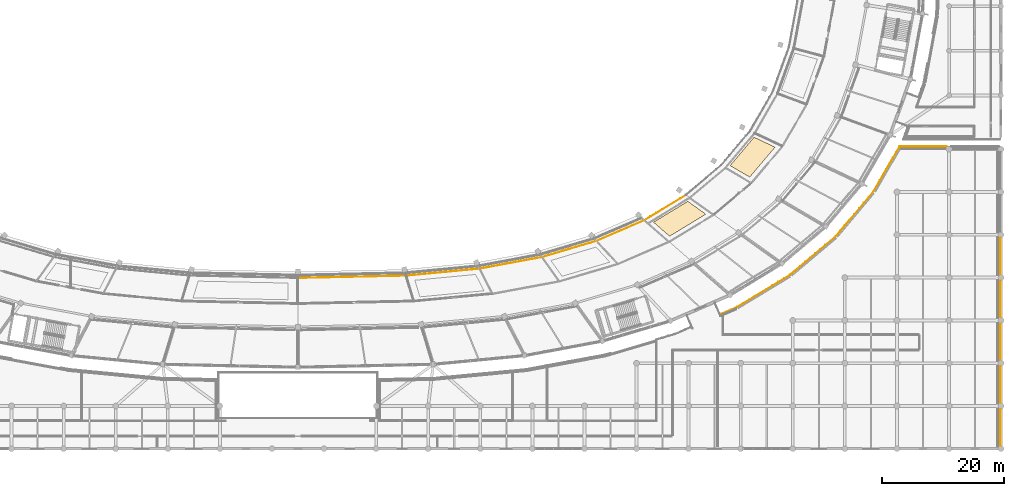
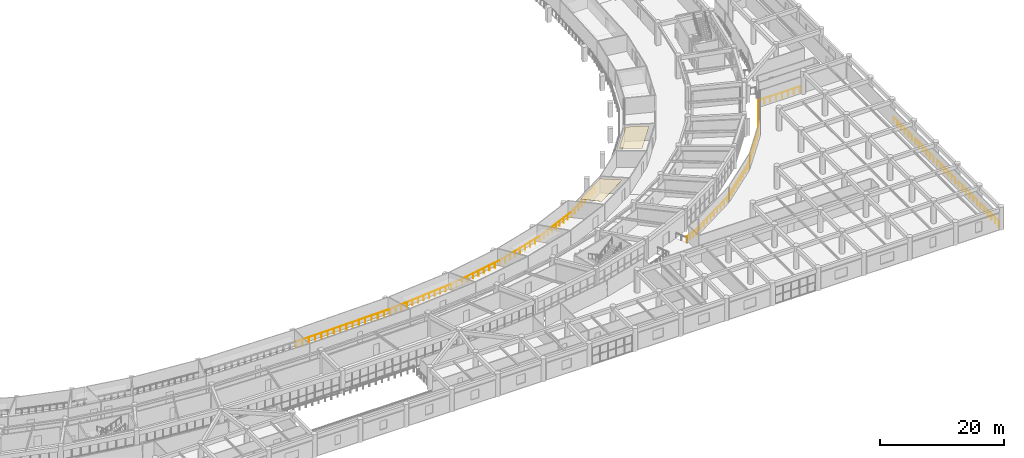
# One storey, part 126 of 141: 7 railings, 2 coverings.
"""IFC4 building model written with IfcOpenShell, lengths in metres."""

import ifcopenshell
import ifcopenshell.guid

model = None  # the IFC model being written
_history = None  # IfcOwnerHistory: only IFC2X3 demands one
_inside = {}  # id of a spatial element -> (the spatial element, [elements in it])
_under = {}  # id of a project, library or spatial element -> (it, [spatial elements below it])
_declared = {}  # id of a project -> (the project, [libraries it declares])
_typed = {}  # id of a type object -> (the type object, [elements of that type])
_made_of = {}  # id of a material, layer set ... -> (it, [elements and type objects made of it])


def new_model(schema):
    """Start an empty IFC model of exactly this schema.

    Asked for "IFC4X3", IfcOpenShell would pick the latest addendum, in which some entities
    have other attributes; the version numbers below select the first issue.
    IFC2X3 requires an IfcOwnerHistory on every rooted entity: one is made here for all.
    """
    global model, _history
    if schema == "IFC4X3":
        model = ifcopenshell.file(schema_version=(4, 3, 0, 0))
    else:
        model = ifcopenshell.file(schema=schema)
    _inside.clear()
    _under.clear()
    _declared.clear()
    _typed.clear()
    _made_of.clear()
    _history = None
    if model.schema == "IFC2X3":
        org = make("IfcOrganization", Name="unknown")
        user = make(
            "IfcPersonAndOrganization",
            ThePerson=make("IfcPerson", FamilyName="unknown"),
            TheOrganization=org,
        )
        app = make(
            "IfcApplication",
            ApplicationDeveloper=org,
            Version="unknown",
            ApplicationFullName="unknown",
            ApplicationIdentifier="unknown",
        )
        _history = make(
            "IfcOwnerHistory",
            OwningUser=user,
            OwningApplication=app,
            ChangeAction="ADDED",
            CreationDate=0,
        )
    return model


def make(cls, **values):
    """One entity of the class cls with the attributes given. An attribute that is None is left unset."""
    return model.create_entity(
        cls, **{name: value for name, value in values.items() if value is not None}
    )


def rooted(cls, **values):
    """An entity with a GlobalId (a new one), such as an element, a storey or a relation."""
    return make(cls, GlobalId=ifcopenshell.guid.new(), OwnerHistory=_history, **values)


def si_unit(unit_type, name, prefix=None):
    """IfcSIUnit, for example si_unit("LENGTHUNIT", "METRE", prefix="MILLI")."""
    return make("IfcSIUnit", UnitType=unit_type, Prefix=prefix, Name=name)


def assignment(units):
    """IfcUnitAssignment: the units of a project."""
    return None if units is None else make("IfcUnitAssignment", Units=units)


def point(xyz):
    """IfcCartesianPoint."""
    return None if xyz is None else make("IfcCartesianPoint", Coordinates=xyz)


def direction(xyz):
    """IfcDirection."""
    return None if xyz is None else make("IfcDirection", DirectionRatios=xyz)


def frame(location, z_axis=None, x_axis=None):
    """IfcAxis2Placement3D, a coordinate frame: its origin and axes. An axis left out is left unset."""
    return make(
        "IfcAxis2Placement3D",
        Location=point(location),
        Axis=direction(z_axis),
        RefDirection=direction(x_axis),
    )


def frame_2d(location, x_axis=None):
    """IfcAxis2Placement2D, a coordinate frame in the plane: its origin and x axis."""
    return make(
        "IfcAxis2Placement2D", Location=point(location), RefDirection=direction(x_axis)
    )


def origin():
    """The frame at (0, 0, 0) with its axes left unset."""
    return frame((0.0, 0.0, 0.0))


def origin_2d():
    """The frame at (0, 0) in the plane with its x axis left unset."""
    return frame_2d((0.0, 0.0))


def place(relative_to, where):
    """IfcLocalPlacement: puts the frame where relative to a parent placement (None: the world)."""
    return make(
        "IfcLocalPlacement", PlacementRelTo=relative_to, RelativePlacement=where
    )


def context(
    kind, dimensions, precision=None, world=None, true_north=None, identifier=None
):
    """IfcGeometricRepresentationContext, for example the 3D "Model" context."""
    return make(
        "IfcGeometricRepresentationContext",
        ContextIdentifier=identifier,
        ContextType=kind,
        CoordinateSpaceDimension=dimensions,
        Precision=precision,
        WorldCoordinateSystem=world,
        TrueNorth=true_north,
    )


def subcontext(parent, identifier, kind, view, scale=None):
    """IfcGeometricRepresentationSubContext, for example "Body" below "Model"."""
    return make(
        "IfcGeometricRepresentationSubContext",
        ContextIdentifier=identifier,
        ContextType=kind,
        ParentContext=parent,
        TargetScale=scale,
        TargetView=view,
    )


def project(units=None, contexts=None):
    """IfcProject with its units and contexts."""
    return rooted(
        "IfcProject",
        Name="project",
        RepresentationContexts=contexts,
        UnitsInContext=assignment(units),
    )


def spatial(cls, under=None, at=None, **own):
    """A site, building, storey or space (cls), placed at a placement, below another one or the project."""
    s = rooted(cls, ObjectPlacement=at, **own)
    if under is not None:
        _under.setdefault(under.id(), (under, []))[1].append(s)
    return s


def polyline(points):
    """IfcPolyline through the points."""
    return make("IfcPolyline", Points=[point(p) for p in points])


def profile(cls, at=None, kind="AREA", **sizes):
    """A parametric profile (cls). Its sizes go by their IFC names, for example OverallWidth=200.0."""
    return make(cls, ProfileType=kind, Position=at, **sizes)


def circle(**sizes):
    """IfcCircleProfileDef."""
    return profile("IfcCircleProfileDef", **sizes)


def outline(outer, holes=None, kind="AREA"):
    """IfcArbitraryClosedProfileDef: a profile drawn as a closed curve; with holes, ...WithVoids."""
    if holes is None:
        return make("IfcArbitraryClosedProfileDef", ProfileType=kind, OuterCurve=outer)
    return make(
        "IfcArbitraryProfileDefWithVoids",
        ProfileType=kind,
        OuterCurve=outer,
        InnerCurves=holes,
    )


def extrude(swept, where, along, depth):
    """IfcExtrudedAreaSolid: the profile swept, set in the frame where, extruded along a direction by depth."""
    return make(
        "IfcExtrudedAreaSolid",
        SweptArea=swept,
        Position=where,
        ExtrudedDirection=direction(along),
        Depth=depth,
    )


def shape(context_of_items, identifier, shape_type, items):
    """IfcShapeRepresentation: the items that make up one representation, for example the "Body"."""
    return make(
        "IfcShapeRepresentation",
        ContextOfItems=context_of_items,
        RepresentationIdentifier=identifier,
        RepresentationType=shape_type,
        Items=items,
    )


def material(Name=None, Category=None):
    """IfcMaterial."""
    return make("IfcMaterial", Name=Name, Category=Category)


def layer(
    of_material, thickness, ventilated=None, Name=None, Category=None, Priority=None
):
    """IfcMaterialLayer: one layer of a wall or slab, of a material (None: an air gap)."""
    return make(
        "IfcMaterialLayer",
        Material=of_material,
        LayerThickness=thickness,
        IsVentilated=ventilated,
        Name=Name,
        Category=Category,
        Priority=Priority,
    )


def layer_set(layers, Name=None):
    """IfcMaterialLayerSet."""
    return make("IfcMaterialLayerSet", MaterialLayers=layers, LayerSetName=Name)


def made_of(thing, what):
    """Note that an element or type object is made of a material, layer set ...; save() writes the relation."""
    if what is not None:
        _made_of.setdefault(what.id(), (what, []))[1].append(thing)
    return thing


def type_object(cls, material=None, **own):
    """A type object (cls), such as IfcWallType, which elements share."""
    return made_of(rooted(cls, **own), material)


def element(
    cls,
    number,
    at=None,
    inside=None,
    cuts=None,
    type_object=None,
    material=None,
    context=None,
    identifier="Body",
    shape_type=None,
    held_by="IfcProductDefinitionShape",
    body=None,
    shapes=None,
    **own,
):
    """One element of the class cls, such as IfcWall. Its Tag is "e" and its number.

    at: its placement. inside: the storey or other place that contains it. cuts: it is an
    opening in that element (IfcRelVoidsElement). A single representation is given by context,
    identifier, shape_type and body (its items); several are given by shapes. held_by: the class
    of the entity that holds the representations. save() writes the other relations.
    """
    e = rooted(cls, Tag="e%d" % number, ObjectPlacement=at, **own)
    if body is not None:
        shapes = [shape(context, identifier, shape_type, body)]
    if shapes is not None:
        e.Representation = make(held_by, Representations=shapes)
    if inside is not None:
        _inside.setdefault(inside.id(), (inside, []))[1].append(e)
    if cuts is not None:
        rooted(
            "IfcRelVoidsElement", RelatingBuildingElement=cuts, RelatedOpeningElement=e
        )
    if type_object is not None:
        _typed.setdefault(type_object.id(), (type_object, []))[1].append(e)
    return made_of(e, material)


def aggregate(whole, parts):
    """IfcRelAggregates: a whole, such as a stair, and the parts it consists of."""
    return rooted("IfcRelAggregates", RelatingObject=whole, RelatedObjects=parts)


def save(model, path):
    """Write the relations noted so far, then the file.

    IfcRelAggregates (storeys below a building ...), IfcRelContainedInSpatialStructure (elements
    in a storey), IfcRelDefinesByType, IfcRelAssociatesMaterial and IfcRelDeclares: one each for
    every whole, place, type object, material and project.
    """
    for whole, parts in _under.values():
        aggregate(whole, parts)
    for where, things in _inside.values():
        rooted(
            "IfcRelContainedInSpatialStructure",
            RelatedElements=things,
            RelatingStructure=where,
        )
    for kind, things in _typed.values():
        rooted("IfcRelDefinesByType", RelatedObjects=things, RelatingType=kind)
    for what, things in _made_of.values():
        rooted("IfcRelAssociatesMaterial", RelatedObjects=things, RelatingMaterial=what)
    for by, libraries in _declared.values():
        rooted("IfcRelDeclares", RelatingContext=by, RelatedDefinitions=libraries)
    model.write(path)


model = new_model("IFC4")

# Units and contexts
model_context = context("Model", 3, precision=1e-05, world=origin(), true_north=direction((0.0, 1.0)))
body_context = subcontext(model_context, "Body", "Model", "MODEL_VIEW")
ifc_project = project(units=[si_unit("LENGTHUNIT", "METRE"), si_unit("AREAUNIT", "SQUARE_METRE"), si_unit("VOLUMEUNIT", "CUBIC_METRE"), si_unit("PLANEANGLEUNIT", "RADIAN"), si_unit("MASSUNIT", "GRAM", prefix="KILO")], contexts=[model_context])

# Site, building, storey
site_placement = place(None, origin())
site = spatial("IfcSite", under=ifc_project, at=site_placement, CompositionType="ELEMENT")
building_placement = place(site_placement, origin())
building = spatial("IfcBuilding", under=site, at=building_placement, Name="Mphavela Belvedere Stadium", CompositionType="ELEMENT")
storey_placement = place(building_placement, frame((0.0, 0.0, 14.699951171875)))
storey = spatial("IfcBuildingStorey", under=building, at=storey_placement, Name="L03", CompositionType="ELEMENT", Elevation=14.699951171875)

# Coverings
ifc_material_1 = material(Name="Perforated acoustic mineral ceiling tile")
ifc_layer = layer(ifc_material_1, 0.0400390625)
ifc_layer_set = layer_set([ifc_layer], Name="Perforated acoustic mineral ceiling tile")
covering_type = type_object("IfcCoveringType", Name="COV-CEILING-ACOUSTIC", PredefinedType="CEILING", material=ifc_layer_set)
covering_1_placement = place(storey_placement, frame((0.0, 0.0, 3.199951171875)))
element("IfcCovering", 1, at=covering_1_placement, inside=storey, type_object=covering_type, Name="Concourse acoustic ceiling L03-42", PredefinedType="CEILING", context=body_context, shape_type="SweptSolid", body=[
    extrude(outline(polyline([(173.1455078125, 37.06103515625), (178.76025390625, 40.476806640625), (181.699462890625, 38.370849609375), (175.770751953125, 34.763916015625), (173.1455078125, 37.06103515625)])), origin(), (0.0, 0.0, 1.0), 0.0400390625),
])
covering_2_placement = place(storey_placement, frame((0.0, 0.0, 3.199951171875)))
element("IfcCovering", 2, at=covering_2_placement, inside=storey, type_object=covering_type, Name="Concourse acoustic ceiling L03-44", PredefinedType="CEILING", context=body_context, shape_type="SweptSolid", body=[
    extrude(outline(polyline([(185.67919921875, 46.316650390625), (189.597900390625, 50.95751953125), (193.023193359375, 49.336181640625), (188.885009765625, 44.435546875), (185.67919921875, 46.316650390625)])), origin(), (0.0, 0.0, 1.0), 0.0400390625),
])

# Railings
ifc_material_2 = material(Name="Bronze and laminated glass stadium balustrade", Category="glass")
railing_type = type_object("IfcRailingType", Name="RAL-BALUSTRADE-1120", PredefinedType="BALUSTRADE", material=ifc_material_2)
railing_1_placement = place(storey_placement, frame((115.0, 27.925048828125, 0.0)))
element("IfcRailing", 3, at=railing_1_placement, inside=storey, type_object=railing_type, Name="Bowl safety balustrade l03_bowl S7", PredefinedType="BALUSTRADE", context=body_context, shape_type="SweptSolid", body=[
    extrude(circle(Radius=0.02392578125, at=origin_2d()), frame((0.0, 0.0, 1.09619140625), z_axis=(0.999768266575, 0.021527032999, 0.0), x_axis=(-0.021527032999, 0.999768266575, 0.0)), (0.0, 0.0, 1.0), 17.737548828125),
    extrude(circle(Radius=0.02392578125, at=origin_2d()), frame((17.7333984375, 0.3818359375, 1.09619140625), z_axis=(0.995484264722, 0.09492670168, 0.0), x_axis=(-0.09492670168, 0.995484264722, 0.0)), (0.0, 0.0, 1.0), 12.04931640625),
    extrude(circle(Radius=0.02392578125, at=origin_2d()), frame((29.728271484375, 1.525634765625, 1.09619140625), z_axis=(0.983095612922, 0.183092915902, 0.0), x_axis=(-0.183092915902, 0.983095612922, 0.0)), (0.0, 0.0, 1.0), 10.382080078125),
    extrude(circle(Radius=0.02392578125, at=origin_2d()), frame((39.934814453125, 3.426513671875, 1.09619140625), z_axis=(0.958661836311, 0.284547858189, 0.0), x_axis=(-0.284547858189, 0.958661836311, 0.0)), (0.0, 0.0, 1.0), 9.315185546875),
    extrude(circle(Radius=0.02392578125, at=origin_2d()), frame((48.864990234375, 6.0771484375, 1.09619140625), z_axis=(0.917499572249, 0.397736765869, 0.0), x_axis=(-0.397736765869, 0.917499572249, 0.0)), (0.0, 0.0, 1.0), 8.529052734375),
    extrude(circle(Radius=0.02392578125, at=origin_2d()), frame((56.6904296875, 9.469482421875, 1.09619140625), z_axis=(0.854316094817, 0.519753797617, 0.0), x_axis=(-0.519753797617, 0.854316094817, 0.0)), (0.0, 0.0, 1.0), 7.940185546875),
    extrude(circle(Radius=0.02099609375, at=origin_2d()), origin(), (0.0, 0.0, 1.0), 1.072021484375),
    extrude(circle(Radius=0.02099609375, at=origin_2d()), frame((1.18212890625, 0.025390625, 0.0)), (0.0, 0.0, 1.0), 1.072021484375),
    extrude(circle(Radius=0.02099609375, at=origin_2d()), frame((2.364501953125, 0.051025390625, 0.0)), (0.0, 0.0, 1.0), 1.072021484375),
    extrude(circle(Radius=0.02099609375, at=origin_2d()), frame((3.546630859375, 0.076416015625, 0.0)), (0.0, 0.0, 1.0), 1.072021484375),
    extrude(circle(Radius=0.02099609375, at=origin_2d()), frame((4.72900390625, 0.101806640625, 0.0)), (0.0, 0.0, 1.0), 1.072021484375),
    extrude(circle(Radius=0.02099609375, at=origin_2d()), frame((5.9111328125, 0.127197265625, 0.0)), (0.0, 0.0, 1.0), 1.072021484375),
    extrude(circle(Radius=0.02099609375, at=origin_2d()), frame((7.09326171875, 0.15283203125, 0.0)), (0.0, 0.0, 1.0), 1.072021484375),
    extrude(circle(Radius=0.02099609375, at=origin_2d()), frame((8.275634765625, 0.17822265625, 0.0)), (0.0, 0.0, 1.0), 1.072021484375),
    extrude(circle(Radius=0.02099609375, at=origin_2d()), frame((9.457763671875, 0.20361328125, 0.0)), (0.0, 0.0, 1.0), 1.072021484375),
    extrude(circle(Radius=0.02099609375, at=origin_2d()), frame((10.64013671875, 0.22900390625, 0.0)), (0.0, 0.0, 1.0), 1.072021484375),
    extrude(circle(Radius=0.02099609375, at=origin_2d()), frame((11.822265625, 0.254638671875, 0.0)), (0.0, 0.0, 1.0), 1.072021484375),
    extrude(circle(Radius=0.02099609375, at=origin_2d()), frame((13.00439453125, 0.280029296875, 0.0)), (0.0, 0.0, 1.0), 1.072021484375),
    extrude(circle(Radius=0.02099609375, at=origin_2d()), frame((14.186767578125, 0.305419921875, 0.0)), (0.0, 0.0, 1.0), 1.072021484375),
    extrude(circle(Radius=0.02099609375, at=origin_2d()), frame((15.368896484375, 0.330810546875, 0.0)), (0.0, 0.0, 1.0), 1.072021484375),
    extrude(circle(Radius=0.02099609375, at=origin_2d()), frame((16.55126953125, 0.3564453125, 0.0)), (0.0, 0.0, 1.0), 1.072021484375),
    extrude(circle(Radius=0.02099609375, at=origin_2d()), frame((17.7333984375, 0.3818359375, 0.0)), (0.0, 0.0, 1.0), 1.072021484375),
    extrude(circle(Radius=0.02099609375, at=origin_2d()), frame((18.82373046875, 0.48583984375, 0.0)), (0.0, 0.0, 1.0), 1.072021484375),
    extrude(circle(Radius=0.02099609375, at=origin_2d()), frame((19.914306640625, 0.58984375, 0.0)), (0.0, 0.0, 1.0), 1.072021484375),
    extrude(circle(Radius=0.02099609375, at=origin_2d()), frame((21.004638671875, 0.69384765625, 0.0)), (0.0, 0.0, 1.0), 1.072021484375),
    extrude(circle(Radius=0.02099609375, at=origin_2d()), frame((22.09521484375, 0.7978515625, 0.0)), (0.0, 0.0, 1.0), 1.072021484375),
    extrude(circle(Radius=0.02099609375, at=origin_2d()), frame((23.185546875, 0.90185546875, 0.0)), (0.0, 0.0, 1.0), 1.072021484375),
    extrude(circle(Radius=0.02099609375, at=origin_2d()), frame((24.276123046875, 1.005615234375, 0.0)), (0.0, 0.0, 1.0), 1.072021484375),
    extrude(circle(Radius=0.02099609375, at=origin_2d()), frame((25.366455078125, 1.109619140625, 0.0)), (0.0, 0.0, 1.0), 1.072021484375),
    extrude(circle(Radius=0.02099609375, at=origin_2d()), frame((26.45703125, 1.213623046875, 0.0)), (0.0, 0.0, 1.0), 1.072021484375),
    extrude(circle(Radius=0.02099609375, at=origin_2d()), frame((27.54736328125, 1.317626953125, 0.0)), (0.0, 0.0, 1.0), 1.072021484375),
    extrude(circle(Radius=0.02099609375, at=origin_2d()), frame((28.637939453125, 1.421630859375, 0.0)), (0.0, 0.0, 1.0), 1.072021484375),
    extrude(circle(Radius=0.02099609375, at=origin_2d()), frame((29.728271484375, 1.525634765625, 0.0)), (0.0, 0.0, 1.0), 1.072021484375),
    extrude(circle(Radius=0.02099609375, at=origin_2d()), frame((30.8623046875, 1.73681640625, 0.0)), (0.0, 0.0, 1.0), 1.072021484375),
    extrude(circle(Radius=0.02099609375, at=origin_2d()), frame((31.996337890625, 1.947998046875, 0.0)), (0.0, 0.0, 1.0), 1.072021484375),
    extrude(circle(Radius=0.02099609375, at=origin_2d()), frame((33.13037109375, 2.1591796875, 0.0)), (0.0, 0.0, 1.0), 1.072021484375),
    extrude(circle(Radius=0.02099609375, at=origin_2d()), frame((34.264404296875, 2.370361328125, 0.0)), (0.0, 0.0, 1.0), 1.072021484375),
    extrude(circle(Radius=0.02099609375, at=origin_2d()), frame((35.398681640625, 2.581787109375, 0.0)), (0.0, 0.0, 1.0), 1.072021484375),
    extrude(circle(Radius=0.02099609375, at=origin_2d()), frame((36.53271484375, 2.79296875, 0.0)), (0.0, 0.0, 1.0), 1.072021484375),
    extrude(circle(Radius=0.02099609375, at=origin_2d()), frame((37.666748046875, 3.004150390625, 0.0)), (0.0, 0.0, 1.0), 1.072021484375),
    extrude(circle(Radius=0.02099609375, at=origin_2d()), frame((38.80078125, 3.21533203125, 0.0)), (0.0, 0.0, 1.0), 1.072021484375),
    extrude(circle(Radius=0.02099609375, at=origin_2d()), frame((39.934814453125, 3.426513671875, 0.0)), (0.0, 0.0, 1.0), 1.072021484375),
    extrude(circle(Radius=0.02099609375, at=origin_2d()), frame((41.051025390625, 3.7578125, 0.0)), (0.0, 0.0, 1.0), 1.072021484375),
    extrude(circle(Radius=0.02099609375, at=origin_2d()), frame((42.16748046875, 4.089111328125, 0.0)), (0.0, 0.0, 1.0), 1.072021484375),
    extrude(circle(Radius=0.02099609375, at=origin_2d()), frame((43.28369140625, 4.42041015625, 0.0)), (0.0, 0.0, 1.0), 1.072021484375),
    extrude(circle(Radius=0.02099609375, at=origin_2d()), frame((44.39990234375, 4.751953125, 0.0)), (0.0, 0.0, 1.0), 1.072021484375),
    extrude(circle(Radius=0.02099609375, at=origin_2d()), frame((45.51611328125, 5.083251953125, 0.0)), (0.0, 0.0, 1.0), 1.072021484375),
    extrude(circle(Radius=0.02099609375, at=origin_2d()), frame((46.63232421875, 5.41455078125, 0.0)), (0.0, 0.0, 1.0), 1.072021484375),
    extrude(circle(Radius=0.02099609375, at=origin_2d()), frame((47.748779296875, 5.745849609375, 0.0)), (0.0, 0.0, 1.0), 1.072021484375),
    extrude(circle(Radius=0.02099609375, at=origin_2d()), frame((48.864990234375, 6.0771484375, 0.0)), (0.0, 0.0, 1.0), 1.072021484375),
    extrude(circle(Radius=0.02099609375, at=origin_2d()), frame((49.84326171875, 6.501220703125, 0.0)), (0.0, 0.0, 1.0), 1.072021484375),
    extrude(circle(Radius=0.02099609375, at=origin_2d()), frame((50.8212890625, 6.92529296875, 0.0)), (0.0, 0.0, 1.0), 1.072021484375),
    extrude(circle(Radius=0.02099609375, at=origin_2d()), frame((51.799560546875, 7.349365234375, 0.0)), (0.0, 0.0, 1.0), 1.072021484375),
    extrude(circle(Radius=0.02099609375, at=origin_2d()), frame((52.77783203125, 7.7734375, 0.0)), (0.0, 0.0, 1.0), 1.072021484375),
    extrude(circle(Radius=0.02099609375, at=origin_2d()), frame((53.755859375, 8.197265625, 0.0)), (0.0, 0.0, 1.0), 1.072021484375),
    extrude(circle(Radius=0.02099609375, at=origin_2d()), frame((54.734130859375, 8.621337890625, 0.0)), (0.0, 0.0, 1.0), 1.072021484375),
    extrude(circle(Radius=0.02099609375, at=origin_2d()), frame((55.712158203125, 9.04541015625, 0.0)), (0.0, 0.0, 1.0), 1.072021484375),
    extrude(circle(Radius=0.02099609375, at=origin_2d()), frame((56.6904296875, 9.469482421875, 0.0)), (0.0, 0.0, 1.0), 1.072021484375),
    extrude(circle(Radius=0.02099609375, at=origin_2d()), frame((57.659423828125, 10.05908203125, 0.0)), (0.0, 0.0, 1.0), 1.072021484375),
    extrude(circle(Radius=0.02099609375, at=origin_2d()), frame((58.628662109375, 10.648681640625, 0.0)), (0.0, 0.0, 1.0), 1.072021484375),
    extrude(circle(Radius=0.02099609375, at=origin_2d()), frame((59.59765625, 11.23828125, 0.0)), (0.0, 0.0, 1.0), 1.072021484375),
    extrude(circle(Radius=0.02099609375, at=origin_2d()), frame((60.566650390625, 11.82763671875, 0.0)), (0.0, 0.0, 1.0), 1.072021484375),
    extrude(circle(Radius=0.02099609375, at=origin_2d()), frame((61.53564453125, 12.417236328125, 0.0)), (0.0, 0.0, 1.0), 1.072021484375),
    extrude(circle(Radius=0.02099609375, at=origin_2d()), frame((62.5048828125, 13.0068359375, 0.0)), (0.0, 0.0, 1.0), 1.072021484375),
    extrude(circle(Radius=0.02099609375, at=origin_2d()), frame((63.473876953125, 13.596435546875, 0.0)), (0.0, 0.0, 1.0), 1.072021484375),
])
railing_2_placement = place(storey_placement, frame((184.2744140625, 22.03759765625, 0.0)))
element("IfcRailing", 4, at=railing_2_placement, inside=storey, type_object=railing_type, Name="Peristyle wing gallery edge balustrade L03-07", PredefinedType="BALUSTRADE", context=body_context, shape_type="SweptSolid", body=[
    extrude(circle(Radius=0.02392578125, at=origin_2d()), frame((0.0, 0.0, 1.09619140625), z_axis=(0.917490104343, 0.397758605731, 0.0), x_axis=(-0.397758605731, 0.917490104343, 0.0)), (0.0, 0.0, 1.0), 2.5380859375),
    extrude(circle(Radius=0.02392578125, at=origin_2d()), frame((2.32861328125, 1.009521484375, 1.09619140625), z_axis=(0.887624752967, 0.460567365236, 0.0), x_axis=(-0.460567365236, 0.887624752967, 0.0)), (0.0, 0.0, 1.0), 0.313232421875),
    extrude(circle(Radius=0.02392578125, at=origin_2d()), frame((2.606689453125, 1.15380859375, 1.09619140625), z_axis=(0.853987904956, 0.520292858099, 0.0), x_axis=(-0.520292858099, 0.853987904956, 0.0)), (0.0, 0.0, 1.0), 10.074462890625),
    extrude(circle(Radius=0.02392578125, at=origin_2d()), frame((11.210205078125, 6.3955078125, 1.09619140625), z_axis=(0.764212542959, 0.644964486761, 0.0), x_axis=(-0.644964486761, 0.764212542959, 0.0)), (0.0, 0.0, 1.0), 9.765869140625),
    extrude(circle(Radius=0.02392578125, at=origin_2d()), frame((18.67333984375, 12.694091796875, 1.09619140625), z_axis=(0.645159914066, 0.764047567421, 0.0), x_axis=(-0.764047567421, 0.645159914066, 0.0)), (0.0, 0.0, 1.0), 9.544921875),
    extrude(circle(Radius=0.02392578125, at=origin_2d()), frame((24.831298828125, 19.98681640625, 1.09619140625), z_axis=(0.501496666229, 0.86515957705, 0.0), x_axis=(-0.86515957705, 0.501496666229, 0.0)), (0.0, 0.0, 1.0), 8.548095703125),
    extrude(circle(Radius=0.02392578125, at=origin_2d()), frame((29.1181640625, 27.38232421875, 1.09619140625), z_axis=(1.0, 0.0, 0.0), x_axis=(0.0, 1.0, 0.0)), (0.0, 0.0, 1.0), 7.73388671875),
    extrude(circle(Radius=0.02099609375, at=origin_2d()), origin(), (0.0, 0.0, 1.0), 1.072021484375),
    extrude(circle(Radius=0.02099609375, at=origin_2d()), frame((0.776123046875, 0.33642578125, 0.0)), (0.0, 0.0, 1.0), 1.072021484375),
    extrude(circle(Radius=0.02099609375, at=origin_2d()), frame((1.552490234375, 0.673095703125, 0.0)), (0.0, 0.0, 1.0), 1.072021484375),
    extrude(circle(Radius=0.02099609375, at=origin_2d()), frame((2.32861328125, 1.009521484375, 0.0)), (0.0, 0.0, 1.0), 1.072021484375),
    extrude(circle(Radius=0.02099609375, at=origin_2d()), frame((2.606689453125, 1.15380859375, 0.0)), (0.0, 0.0, 1.0), 1.072021484375),
    extrude(circle(Radius=0.02099609375, at=origin_2d()), frame((3.562744140625, 1.736328125, 0.0)), (0.0, 0.0, 1.0), 1.072021484375),
    extrude(circle(Radius=0.02099609375, at=origin_2d()), frame((4.5185546875, 2.318603515625, 0.0)), (0.0, 0.0, 1.0), 1.072021484375),
    extrude(circle(Radius=0.02099609375, at=origin_2d()), frame((5.474609375, 2.901123046875, 0.0)), (0.0, 0.0, 1.0), 1.072021484375),
    extrude(circle(Radius=0.02099609375, at=origin_2d()), frame((6.430419921875, 3.4833984375, 0.0)), (0.0, 0.0, 1.0), 1.072021484375),
    extrude(circle(Radius=0.02099609375, at=origin_2d()), frame((7.386474609375, 4.06591796875, 0.0)), (0.0, 0.0, 1.0), 1.072021484375),
    extrude(circle(Radius=0.02099609375, at=origin_2d()), frame((8.34228515625, 4.648193359375, 0.0)), (0.0, 0.0, 1.0), 1.072021484375),
    extrude(circle(Radius=0.02099609375, at=origin_2d()), frame((9.29833984375, 5.230712890625, 0.0)), (0.0, 0.0, 1.0), 1.072021484375),
    extrude(circle(Radius=0.02099609375, at=origin_2d()), frame((10.254150390625, 5.81298828125, 0.0)), (0.0, 0.0, 1.0), 1.072021484375),
    extrude(circle(Radius=0.02099609375, at=origin_2d()), frame((11.210205078125, 6.3955078125, 0.0)), (0.0, 0.0, 1.0), 1.072021484375),
    extrude(circle(Radius=0.02099609375, at=origin_2d()), frame((12.03955078125, 7.095458984375, 0.0)), (0.0, 0.0, 1.0), 1.072021484375),
    extrude(circle(Radius=0.02099609375, at=origin_2d()), frame((12.86865234375, 7.795166015625, 0.0)), (0.0, 0.0, 1.0), 1.072021484375),
    extrude(circle(Radius=0.02099609375, at=origin_2d()), frame((13.697998046875, 8.4951171875, 0.0)), (0.0, 0.0, 1.0), 1.072021484375),
    extrude(circle(Radius=0.02099609375, at=origin_2d()), frame((14.527099609375, 9.19482421875, 0.0)), (0.0, 0.0, 1.0), 1.072021484375),
    extrude(circle(Radius=0.02099609375, at=origin_2d()), frame((15.3564453125, 9.894775390625, 0.0)), (0.0, 0.0, 1.0), 1.072021484375),
    extrude(circle(Radius=0.02099609375, at=origin_2d()), frame((16.185546875, 10.594482421875, 0.0)), (0.0, 0.0, 1.0), 1.072021484375),
    extrude(circle(Radius=0.02099609375, at=origin_2d()), frame((17.014892578125, 11.29443359375, 0.0)), (0.0, 0.0, 1.0), 1.072021484375),
    extrude(circle(Radius=0.02099609375, at=origin_2d()), frame((17.843994140625, 11.994140625, 0.0)), (0.0, 0.0, 1.0), 1.072021484375),
    extrude(circle(Radius=0.02099609375, at=origin_2d()), frame((18.67333984375, 12.694091796875, 0.0)), (0.0, 0.0, 1.0), 1.072021484375),
    extrude(circle(Radius=0.02099609375, at=origin_2d()), frame((19.443115234375, 13.605712890625, 0.0)), (0.0, 0.0, 1.0), 1.072021484375),
    extrude(circle(Radius=0.02099609375, at=origin_2d()), frame((20.212890625, 14.517333984375, 0.0)), (0.0, 0.0, 1.0), 1.072021484375),
    extrude(circle(Radius=0.02099609375, at=origin_2d()), frame((20.982666015625, 15.428955078125, 0.0)), (0.0, 0.0, 1.0), 1.072021484375),
    extrude(circle(Radius=0.02099609375, at=origin_2d()), frame((21.75244140625, 16.34033203125, 0.0)), (0.0, 0.0, 1.0), 1.072021484375),
    extrude(circle(Radius=0.02099609375, at=origin_2d()), frame((22.52197265625, 17.251953125, 0.0)), (0.0, 0.0, 1.0), 1.072021484375),
    extrude(circle(Radius=0.02099609375, at=origin_2d()), frame((23.291748046875, 18.16357421875, 0.0)), (0.0, 0.0, 1.0), 1.072021484375),
    extrude(circle(Radius=0.02099609375, at=origin_2d()), frame((24.0615234375, 19.0751953125, 0.0)), (0.0, 0.0, 1.0), 1.072021484375),
    extrude(circle(Radius=0.02099609375, at=origin_2d()), frame((24.831298828125, 19.98681640625, 0.0)), (0.0, 0.0, 1.0), 1.072021484375),
    extrude(circle(Radius=0.02099609375, at=origin_2d()), frame((25.3671875, 20.9111328125, 0.0)), (0.0, 0.0, 1.0), 1.072021484375),
    extrude(circle(Radius=0.02099609375, at=origin_2d()), frame((25.903076171875, 21.835693359375, 0.0)), (0.0, 0.0, 1.0), 1.072021484375),
    extrude(circle(Radius=0.02099609375, at=origin_2d()), frame((26.43896484375, 22.76025390625, 0.0)), (0.0, 0.0, 1.0), 1.072021484375),
    extrude(circle(Radius=0.02099609375, at=origin_2d()), frame((26.974609375, 23.6845703125, 0.0)), (0.0, 0.0, 1.0), 1.072021484375),
    extrude(circle(Radius=0.02099609375, at=origin_2d()), frame((27.510498046875, 24.60888671875, 0.0)), (0.0, 0.0, 1.0), 1.072021484375),
    extrude(circle(Radius=0.02099609375, at=origin_2d()), frame((28.04638671875, 25.533447265625, 0.0)), (0.0, 0.0, 1.0), 1.072021484375),
    extrude(circle(Radius=0.02099609375, at=origin_2d()), frame((28.582275390625, 26.4580078125, 0.0)), (0.0, 0.0, 1.0), 1.072021484375),
    extrude(circle(Radius=0.02099609375, at=origin_2d()), frame((29.1181640625, 27.38232421875, 0.0)), (0.0, 0.0, 1.0), 1.072021484375),
    extrude(circle(Radius=0.02099609375, at=origin_2d()), frame((30.222900390625, 27.38232421875, 0.0)), (0.0, 0.0, 1.0), 1.072021484375),
    extrude(circle(Radius=0.02099609375, at=origin_2d()), frame((31.327880859375, 27.38232421875, 0.0)), (0.0, 0.0, 1.0), 1.072021484375),
    extrude(circle(Radius=0.02099609375, at=origin_2d()), frame((32.4326171875, 27.38232421875, 0.0)), (0.0, 0.0, 1.0), 1.072021484375),
    extrude(circle(Radius=0.02099609375, at=origin_2d()), frame((33.53759765625, 27.38232421875, 0.0)), (0.0, 0.0, 1.0), 1.072021484375),
    extrude(circle(Radius=0.02099609375, at=origin_2d()), frame((34.642333984375, 27.38232421875, 0.0)), (0.0, 0.0, 1.0), 1.072021484375),
    extrude(circle(Radius=0.02099609375, at=origin_2d()), frame((35.747314453125, 27.38232421875, 0.0)), (0.0, 0.0, 1.0), 1.072021484375),
    extrude(circle(Radius=0.02099609375, at=origin_2d()), frame((36.85205078125, 27.38232421875, 0.0)), (0.0, 0.0, 1.0), 1.072021484375),
])
for number, where, name in (
    (5, (229.919921875, 34.45654296875, 0.0), "Peristyle wing gallery edge balustrade L03-11"),
    (6, (229.919921875, 27.45654296875, 0.0), "Peristyle wing gallery edge balustrade L03-12"),
    (7, (229.919921875, 20.45654296875, 0.0), "Peristyle wing gallery edge balustrade L03-13"),
    (8, (229.919921875, 13.45654296875, 0.0), "Peristyle wing gallery edge balustrade L03-14"),
    (9, (229.919921875, 6.45654296875, 0.0), "Peristyle wing gallery edge balustrade L03-15"),
):
    element("IfcRailing", number, at=place(storey_placement, frame(where)), inside=storey, type_object=railing_type, Name=name, PredefinedType="BALUSTRADE", context=body_context, shape_type="SweptSolid", body=[
        extrude(circle(Radius=0.02392578125, at=origin_2d()), frame((0.0, 0.0, 1.09619140625), z_axis=(0.0, -1.0, 0.0), x_axis=(1.0, 0.0, 0.0)), (0.0, 0.0, 1.0), 5.9130859375),
        extrude(circle(Radius=0.02099609375, at=origin_2d()), origin(), (0.0, 0.0, 1.0), 1.072021484375),
        extrude(circle(Radius=0.02099609375, at=origin_2d()), frame((0.0, -1.1826171875, 0.0)), (0.0, 0.0, 1.0), 1.072021484375),
        extrude(circle(Radius=0.02099609375, at=origin_2d()), frame((0.0, -2.365234375, 0.0)), (0.0, 0.0, 1.0), 1.072021484375),
        extrude(circle(Radius=0.02099609375, at=origin_2d()), frame((0.0, -3.5478515625, 0.0)), (0.0, 0.0, 1.0), 1.072021484375),
        extrude(circle(Radius=0.02099609375, at=origin_2d()), frame((0.0, -4.73046875, 0.0)), (0.0, 0.0, 1.0), 1.072021484375),
        extrude(circle(Radius=0.02099609375, at=origin_2d()), frame((0.0, -5.9130859375, 0.0)), (0.0, 0.0, 1.0), 1.072021484375),
    ])

save(model, "model.ifc")
